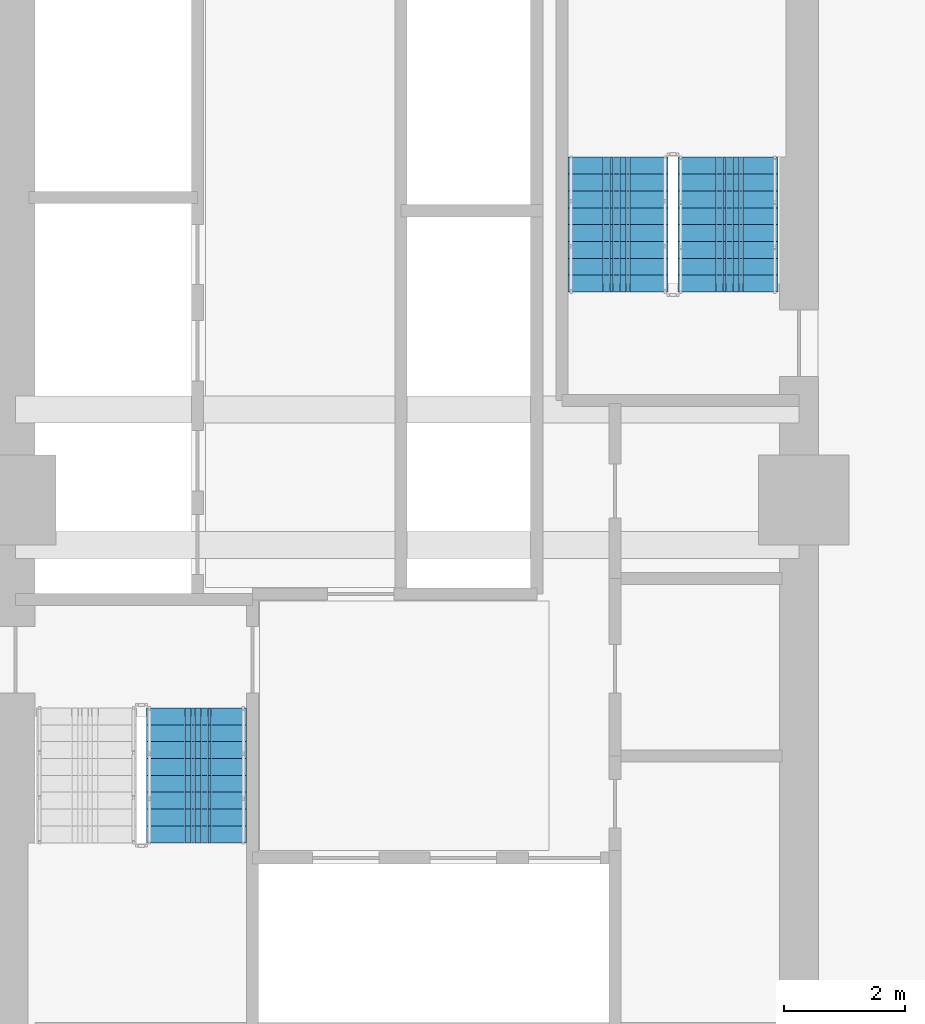
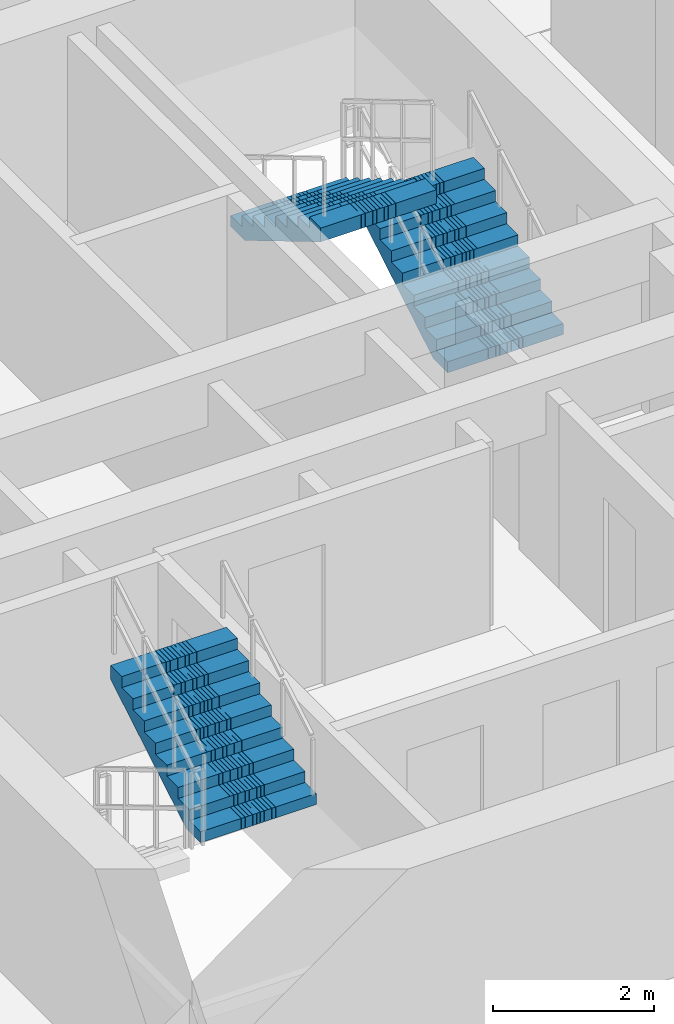
# One storey, part 21 of 27: 3 stair flights, 2 elements without a shape of their own.
"""IFC4 building model written with IfcOpenShell, lengths in metres."""

from ifc_helpers import new_model, si_unit, direction, frame, origin, place, context, subcontext, project, spatial, polyline, outline, extrude, material, type_object, element, aggregate, save


model = new_model("IFC4")

# Units and contexts
model_context = context("Model", 3, precision=1e-05, world=origin(), true_north=direction((0.0, 1.0)))
body_context = subcontext(model_context, "Body", "Model", "MODEL_VIEW")
ifc_project = project(units=[si_unit("LENGTHUNIT", "METRE"), si_unit("AREAUNIT", "SQUARE_METRE"), si_unit("VOLUMEUNIT", "CUBIC_METRE"), si_unit("PLANEANGLEUNIT", "RADIAN"), si_unit("MASSUNIT", "GRAM", prefix="KILO")], contexts=[model_context])

# Site, building, storey
site_placement = place(None, origin())
site = spatial("IfcSite", under=ifc_project, at=site_placement, CompositionType="ELEMENT")
building_placement = place(site_placement, origin())
building = spatial("IfcBuilding", under=site, at=building_placement, Name="Saelheon Loggia Tower", CompositionType="ELEMENT")
storey_placement = place(building_placement, frame((0.0, 0.0, 34.39990234375)))
storey = spatial("IfcBuildingStorey", under=building, at=storey_placement, Name="L10", CompositionType="ELEMENT", Elevation=34.39990234375)

# Stair, stair flight
ifc_material = material(Name="Concrete C40/50", Category="concrete")
stair_type = type_object("IfcStairType", Name="Stair_Escape_Core", PredefinedType="HALF_TURN_STAIR", material=ifc_material)
stair_1_placement = place(storey_placement, origin())
stair_1 = element("IfcStair", 1, at=stair_1_placement, inside=storey, type_object=stair_type, Name="L10 Special Escape Stair ST1", PredefinedType="HALF_TURN_STAIR")
stair_flight_type = type_object("IfcStairFlightType", Name="StairFlight_Tower_1660", PredefinedType="STRAIGHT", material=ifc_material)
stair_flight_1_placement = place(storey_placement, frame((34.5, 21.31005859375, 1.5), z_axis=(0.0, 0.0, 1.0), x_axis=(0.0, 1.0, 0.0)))
stair_flight_1 = element("IfcStairFlight", 2, at=stair_flight_1_placement, type_object=stair_flight_type, Name="ST1 flight 2", NumberOfRisers=9, NumberOfTreads=8, PredefinedType="STRAIGHT", RiserHeight=0.166666667, TreadLength=0.28, context=body_context, shape_type="SweptSolid", body=[
    extrude(outline(polyline([(0.0, 0.0), (0.0, 0.166748046875), (0.280029296875, 0.166748046875), (0.280029296875, 0.333251953125), (0.56005859375, 0.333251953125), (0.56005859375, 0.5), (0.840087890625, 0.5), (0.840087890625, 0.666748046875), (1.1201171875, 0.666748046875), (1.1201171875, 0.833251953125), (1.39990234375, 0.833251953125), (1.39990234375, 1.0), (1.679931640625, 1.0), (1.679931640625, 1.166748046875), (1.9599609375, 1.166748046875), (1.9599609375, 1.333251953125), (2.239990234375, 1.333251953125), (2.239990234375, 1.5), (2.239990234375, 1.1240234375), (0.351806640625, 0.0), (0.0, 0.0)])), frame((0.0, -0.2490234375, 0.0), z_axis=(0.0, -1.0, 0.0), x_axis=(1.0, 0.0, 0.0)), (0.0, 0.0, 1.0), 0.5810546875),
    extrude(outline(polyline([(0.0, 0.0), (0.0, 0.166748046875), (0.280029296875, 0.166748046875), (0.280029296875, 0.333251953125), (0.56005859375, 0.333251953125), (0.56005859375, 0.5), (0.840087890625, 0.5), (0.840087890625, 0.666748046875), (1.1201171875, 0.666748046875), (1.1201171875, 0.833251953125), (1.39990234375, 0.833251953125), (1.39990234375, 1.0), (1.679931640625, 1.0), (1.679931640625, 1.166748046875), (1.9599609375, 1.166748046875), (1.9599609375, 1.333251953125), (2.239990234375, 1.333251953125), (2.239990234375, 1.5), (2.239990234375, 1.1240234375), (0.351806640625, 0.0), (0.0, 0.0)])), frame((0.0, -0.194091796875, 0.0), z_axis=(0.0, -1.0, 0.0), x_axis=(1.0, 0.0, 0.0)), (0.0, 0.0, 1.0), 0.0498046875),
    extrude(outline(polyline([(0.0, 0.0), (0.0, 0.166748046875), (0.280029296875, 0.166748046875), (0.280029296875, 0.333251953125), (0.56005859375, 0.333251953125), (0.56005859375, 0.5), (0.840087890625, 0.5), (0.840087890625, 0.666748046875), (1.1201171875, 0.666748046875), (1.1201171875, 0.833251953125), (1.39990234375, 0.833251953125), (1.39990234375, 1.0), (1.679931640625, 1.0), (1.679931640625, 1.166748046875), (1.9599609375, 1.166748046875), (1.9599609375, 1.333251953125), (2.239990234375, 1.333251953125), (2.239990234375, 1.5), (2.239990234375, 1.1240234375), (0.351806640625, 0.0), (0.0, 0.0)])), frame((0.0, -0.139404296875, 0.0), z_axis=(0.0, -1.0, 0.0), x_axis=(1.0, 0.0, 0.0)), (0.0, 0.0, 1.0), 0.0498046875),
    extrude(outline(polyline([(0.0, 0.0), (0.0, 0.166748046875), (0.280029296875, 0.166748046875), (0.280029296875, 0.333251953125), (0.56005859375, 0.333251953125), (0.56005859375, 0.5), (0.840087890625, 0.5), (0.840087890625, 0.666748046875), (1.1201171875, 0.666748046875), (1.1201171875, 0.833251953125), (1.39990234375, 0.833251953125), (1.39990234375, 1.0), (1.679931640625, 1.0), (1.679931640625, 1.166748046875), (1.9599609375, 1.166748046875), (1.9599609375, 1.333251953125), (2.239990234375, 1.333251953125), (2.239990234375, 1.5), (2.239990234375, 1.1240234375), (0.351806640625, 0.0), (0.0, 0.0)])), frame((0.0, -0.084716796875, 0.0), z_axis=(0.0, -1.0, 0.0), x_axis=(1.0, 0.0, 0.0)), (0.0, 0.0, 1.0), 0.0498046875),
    extrude(outline(polyline([(0.0, 0.0), (0.0, 0.166748046875), (0.280029296875, 0.166748046875), (0.280029296875, 0.333251953125), (0.56005859375, 0.333251953125), (0.56005859375, 0.5), (0.840087890625, 0.5), (0.840087890625, 0.666748046875), (1.1201171875, 0.666748046875), (1.1201171875, 0.833251953125), (1.39990234375, 0.833251953125), (1.39990234375, 1.0), (1.679931640625, 1.0), (1.679931640625, 1.166748046875), (1.9599609375, 1.166748046875), (1.9599609375, 1.333251953125), (2.239990234375, 1.333251953125), (2.239990234375, 1.5), (2.239990234375, 1.1240234375), (0.351806640625, 0.0), (0.0, 0.0)])), frame((0.0, -0.02978515625, 0.0), z_axis=(0.0, -1.0, 0.0), x_axis=(1.0, 0.0, 0.0)), (0.0, 0.0, 1.0), 0.0498046875),
    extrude(outline(polyline([(0.0, 0.0), (0.0, 0.166748046875), (0.280029296875, 0.166748046875), (0.280029296875, 0.333251953125), (0.56005859375, 0.333251953125), (0.56005859375, 0.5), (0.840087890625, 0.5), (0.840087890625, 0.666748046875), (1.1201171875, 0.666748046875), (1.1201171875, 0.833251953125), (1.39990234375, 0.833251953125), (1.39990234375, 1.0), (1.679931640625, 1.0), (1.679931640625, 1.166748046875), (1.9599609375, 1.166748046875), (1.9599609375, 1.333251953125), (2.239990234375, 1.333251953125), (2.239990234375, 1.5), (2.239990234375, 1.1240234375), (0.351806640625, 0.0), (0.0, 0.0)])), frame((0.0, 0.02490234375, 0.0), z_axis=(0.0, -1.0, 0.0), x_axis=(1.0, 0.0, 0.0)), (0.0, 0.0, 1.0), 0.0498046875),
    extrude(outline(polyline([(0.0, 0.0), (0.0, 0.166748046875), (0.280029296875, 0.166748046875), (0.280029296875, 0.333251953125), (0.56005859375, 0.333251953125), (0.56005859375, 0.5), (0.840087890625, 0.5), (0.840087890625, 0.666748046875), (1.1201171875, 0.666748046875), (1.1201171875, 0.833251953125), (1.39990234375, 0.833251953125), (1.39990234375, 1.0), (1.679931640625, 1.0), (1.679931640625, 1.166748046875), (1.9599609375, 1.166748046875), (1.9599609375, 1.333251953125), (2.239990234375, 1.333251953125), (2.239990234375, 1.5), (2.239990234375, 1.1240234375), (0.351806640625, 0.0), (0.0, 0.0)])), frame((0.0, 0.07958984375, 0.0), z_axis=(0.0, -1.0, 0.0), x_axis=(1.0, 0.0, 0.0)), (0.0, 0.0, 1.0), 0.0498046875),
    extrude(outline(polyline([(0.0, 0.0), (0.0, 0.166748046875), (0.280029296875, 0.166748046875), (0.280029296875, 0.333251953125), (0.56005859375, 0.333251953125), (0.56005859375, 0.5), (0.840087890625, 0.5), (0.840087890625, 0.666748046875), (1.1201171875, 0.666748046875), (1.1201171875, 0.833251953125), (1.39990234375, 0.833251953125), (1.39990234375, 1.0), (1.679931640625, 1.0), (1.679931640625, 1.166748046875), (1.9599609375, 1.166748046875), (1.9599609375, 1.333251953125), (2.239990234375, 1.333251953125), (2.239990234375, 1.5), (2.239990234375, 1.1240234375), (0.351806640625, 0.0), (0.0, 0.0)])), frame((0.0, 0.134521484375, 0.0), z_axis=(0.0, -1.0, 0.0), x_axis=(1.0, 0.0, 0.0)), (0.0, 0.0, 1.0), 0.0498046875),
    extrude(outline(polyline([(0.0, 0.0), (0.0, 0.166748046875), (0.280029296875, 0.166748046875), (0.280029296875, 0.333251953125), (0.56005859375, 0.333251953125), (0.56005859375, 0.5), (0.840087890625, 0.5), (0.840087890625, 0.666748046875), (1.1201171875, 0.666748046875), (1.1201171875, 0.833251953125), (1.39990234375, 0.833251953125), (1.39990234375, 1.0), (1.679931640625, 1.0), (1.679931640625, 1.166748046875), (1.9599609375, 1.166748046875), (1.9599609375, 1.333251953125), (2.239990234375, 1.333251953125), (2.239990234375, 1.5), (2.239990234375, 1.1240234375), (0.351806640625, 0.0), (0.0, 0.0)])), frame((0.0, 0.189208984375, 0.0), z_axis=(0.0, -1.0, 0.0), x_axis=(1.0, 0.0, 0.0)), (0.0, 0.0, 1.0), 0.0498046875),
    extrude(outline(polyline([(0.0, 0.0), (0.0, 0.166748046875), (0.280029296875, 0.166748046875), (0.280029296875, 0.333251953125), (0.56005859375, 0.333251953125), (0.56005859375, 0.5), (0.840087890625, 0.5), (0.840087890625, 0.666748046875), (1.1201171875, 0.666748046875), (1.1201171875, 0.833251953125), (1.39990234375, 0.833251953125), (1.39990234375, 1.0), (1.679931640625, 1.0), (1.679931640625, 1.166748046875), (1.9599609375, 1.166748046875), (1.9599609375, 1.333251953125), (2.239990234375, 1.333251953125), (2.239990234375, 1.5), (2.239990234375, 1.1240234375), (0.351806640625, 0.0), (0.0, 0.0)])), frame((0.0, 0.243896484375, 0.0), z_axis=(0.0, -1.0, 0.0), x_axis=(1.0, 0.0, 0.0)), (0.0, 0.0, 1.0), 0.0498046875),
    extrude(outline(polyline([(0.0, 0.0), (0.0, 0.166748046875), (0.280029296875, 0.166748046875), (0.280029296875, 0.333251953125), (0.56005859375, 0.333251953125), (0.56005859375, 0.5), (0.840087890625, 0.5), (0.840087890625, 0.666748046875), (1.1201171875, 0.666748046875), (1.1201171875, 0.833251953125), (1.39990234375, 0.833251953125), (1.39990234375, 1.0), (1.679931640625, 1.0), (1.679931640625, 1.166748046875), (1.9599609375, 1.166748046875), (1.9599609375, 1.333251953125), (2.239990234375, 1.333251953125), (2.239990234375, 1.5), (2.239990234375, 1.1240234375), (0.351806640625, 0.0), (0.0, 0.0)])), frame((0.0, 0.830078125, 0.0), z_axis=(0.0, -1.0, 0.0), x_axis=(1.0, 0.0, 0.0)), (0.0, 0.0, 1.0), 0.5810546875),
])
aggregate(stair_1, [stair_flight_1])

# Stair, stair flights
stair_2_placement = place(storey_placement, origin())
stair_2 = element("IfcStair", 3, at=stair_2_placement, inside=storey, type_object=stair_type, Name="L10 Special Escape Stair ST2", PredefinedType="HALF_TURN_STAIR")
stair_flight_2_placement = place(storey_placement, frame((43.320068359375, 30.449951171875, 0.0), z_axis=(0.0, 0.0, 1.0), x_axis=(0.0, 1.0, 0.0)))
stair_flight_2 = element("IfcStairFlight", 4, at=stair_flight_2_placement, type_object=stair_flight_type, Name="ST2 flight 1", NumberOfRisers=9, NumberOfTreads=8, PredefinedType="STRAIGHT", RiserHeight=0.166666667, TreadLength=0.28, context=body_context, shape_type="SweptSolid", body=[
    extrude(outline(polyline([(0.0, 0.0), (0.0, 0.166748046875), (0.280029296875, 0.166748046875), (0.280029296875, 0.333251953125), (0.56005859375, 0.333251953125), (0.56005859375, 0.5), (0.840087890625, 0.5), (0.840087890625, 0.666748046875), (1.1201171875, 0.666748046875), (1.1201171875, 0.833251953125), (1.39990234375, 0.833251953125), (1.39990234375, 1.0), (1.679931640625, 1.0), (1.679931640625, 1.166748046875), (1.9599609375, 1.166748046875), (1.9599609375, 1.333251953125), (2.239990234375, 1.333251953125), (2.239990234375, 1.5), (2.239990234375, 1.1240234375), (0.351806640625, 0.0), (0.0, 0.0)])), frame((0.0, -0.2490234375, 0.0), z_axis=(0.0, -1.0, 0.0), x_axis=(1.0, 0.0, 0.0)), (0.0, 0.0, 1.0), 0.5810546875),
    extrude(outline(polyline([(0.0, 0.0), (0.0, 0.166748046875), (0.280029296875, 0.166748046875), (0.280029296875, 0.333251953125), (0.56005859375, 0.333251953125), (0.56005859375, 0.5), (0.840087890625, 0.5), (0.840087890625, 0.666748046875), (1.1201171875, 0.666748046875), (1.1201171875, 0.833251953125), (1.39990234375, 0.833251953125), (1.39990234375, 1.0), (1.679931640625, 1.0), (1.679931640625, 1.166748046875), (1.9599609375, 1.166748046875), (1.9599609375, 1.333251953125), (2.239990234375, 1.333251953125), (2.239990234375, 1.5), (2.239990234375, 1.1240234375), (0.351806640625, 0.0), (0.0, 0.0)])), frame((0.0, -0.194091796875, 0.0), z_axis=(0.0, -1.0, 0.0), x_axis=(1.0, 0.0, 0.0)), (0.0, 0.0, 1.0), 0.0498046875),
    extrude(outline(polyline([(0.0, 0.0), (0.0, 0.166748046875), (0.280029296875, 0.166748046875), (0.280029296875, 0.333251953125), (0.56005859375, 0.333251953125), (0.56005859375, 0.5), (0.840087890625, 0.5), (0.840087890625, 0.666748046875), (1.1201171875, 0.666748046875), (1.1201171875, 0.833251953125), (1.39990234375, 0.833251953125), (1.39990234375, 1.0), (1.679931640625, 1.0), (1.679931640625, 1.166748046875), (1.9599609375, 1.166748046875), (1.9599609375, 1.333251953125), (2.239990234375, 1.333251953125), (2.239990234375, 1.5), (2.239990234375, 1.1240234375), (0.351806640625, 0.0), (0.0, 0.0)])), frame((0.0, -0.139404296875, 0.0), z_axis=(0.0, -1.0, 0.0), x_axis=(1.0, 0.0, 0.0)), (0.0, 0.0, 1.0), 0.0498046875),
    extrude(outline(polyline([(0.0, 0.0), (0.0, 0.166748046875), (0.280029296875, 0.166748046875), (0.280029296875, 0.333251953125), (0.56005859375, 0.333251953125), (0.56005859375, 0.5), (0.840087890625, 0.5), (0.840087890625, 0.666748046875), (1.1201171875, 0.666748046875), (1.1201171875, 0.833251953125), (1.39990234375, 0.833251953125), (1.39990234375, 1.0), (1.679931640625, 1.0), (1.679931640625, 1.166748046875), (1.9599609375, 1.166748046875), (1.9599609375, 1.333251953125), (2.239990234375, 1.333251953125), (2.239990234375, 1.5), (2.239990234375, 1.1240234375), (0.351806640625, 0.0), (0.0, 0.0)])), frame((0.0, -0.084716796875, 0.0), z_axis=(0.0, -1.0, 0.0), x_axis=(1.0, 0.0, 0.0)), (0.0, 0.0, 1.0), 0.0498046875),
    extrude(outline(polyline([(0.0, 0.0), (0.0, 0.166748046875), (0.280029296875, 0.166748046875), (0.280029296875, 0.333251953125), (0.56005859375, 0.333251953125), (0.56005859375, 0.5), (0.840087890625, 0.5), (0.840087890625, 0.666748046875), (1.1201171875, 0.666748046875), (1.1201171875, 0.833251953125), (1.39990234375, 0.833251953125), (1.39990234375, 1.0), (1.679931640625, 1.0), (1.679931640625, 1.166748046875), (1.9599609375, 1.166748046875), (1.9599609375, 1.333251953125), (2.239990234375, 1.333251953125), (2.239990234375, 1.5), (2.239990234375, 1.1240234375), (0.351806640625, 0.0), (0.0, 0.0)])), frame((0.0, -0.02978515625, 0.0), z_axis=(0.0, -1.0, 0.0), x_axis=(1.0, 0.0, 0.0)), (0.0, 0.0, 1.0), 0.0498046875),
    extrude(outline(polyline([(0.0, 0.0), (0.0, 0.166748046875), (0.280029296875, 0.166748046875), (0.280029296875, 0.333251953125), (0.56005859375, 0.333251953125), (0.56005859375, 0.5), (0.840087890625, 0.5), (0.840087890625, 0.666748046875), (1.1201171875, 0.666748046875), (1.1201171875, 0.833251953125), (1.39990234375, 0.833251953125), (1.39990234375, 1.0), (1.679931640625, 1.0), (1.679931640625, 1.166748046875), (1.9599609375, 1.166748046875), (1.9599609375, 1.333251953125), (2.239990234375, 1.333251953125), (2.239990234375, 1.5), (2.239990234375, 1.1240234375), (0.351806640625, 0.0), (0.0, 0.0)])), frame((0.0, 0.02490234375, 0.0), z_axis=(0.0, -1.0, 0.0), x_axis=(1.0, 0.0, 0.0)), (0.0, 0.0, 1.0), 0.0498046875),
    extrude(outline(polyline([(0.0, 0.0), (0.0, 0.166748046875), (0.280029296875, 0.166748046875), (0.280029296875, 0.333251953125), (0.56005859375, 0.333251953125), (0.56005859375, 0.5), (0.840087890625, 0.5), (0.840087890625, 0.666748046875), (1.1201171875, 0.666748046875), (1.1201171875, 0.833251953125), (1.39990234375, 0.833251953125), (1.39990234375, 1.0), (1.679931640625, 1.0), (1.679931640625, 1.166748046875), (1.9599609375, 1.166748046875), (1.9599609375, 1.333251953125), (2.239990234375, 1.333251953125), (2.239990234375, 1.5), (2.239990234375, 1.1240234375), (0.351806640625, 0.0), (0.0, 0.0)])), frame((0.0, 0.07958984375, 0.0), z_axis=(0.0, -1.0, 0.0), x_axis=(1.0, 0.0, 0.0)), (0.0, 0.0, 1.0), 0.0498046875),
    extrude(outline(polyline([(0.0, 0.0), (0.0, 0.166748046875), (0.280029296875, 0.166748046875), (0.280029296875, 0.333251953125), (0.56005859375, 0.333251953125), (0.56005859375, 0.5), (0.840087890625, 0.5), (0.840087890625, 0.666748046875), (1.1201171875, 0.666748046875), (1.1201171875, 0.833251953125), (1.39990234375, 0.833251953125), (1.39990234375, 1.0), (1.679931640625, 1.0), (1.679931640625, 1.166748046875), (1.9599609375, 1.166748046875), (1.9599609375, 1.333251953125), (2.239990234375, 1.333251953125), (2.239990234375, 1.5), (2.239990234375, 1.1240234375), (0.351806640625, 0.0), (0.0, 0.0)])), frame((0.0, 0.134521484375, 0.0), z_axis=(0.0, -1.0, 0.0), x_axis=(1.0, 0.0, 0.0)), (0.0, 0.0, 1.0), 0.0498046875),
    extrude(outline(polyline([(0.0, 0.0), (0.0, 0.166748046875), (0.280029296875, 0.166748046875), (0.280029296875, 0.333251953125), (0.56005859375, 0.333251953125), (0.56005859375, 0.5), (0.840087890625, 0.5), (0.840087890625, 0.666748046875), (1.1201171875, 0.666748046875), (1.1201171875, 0.833251953125), (1.39990234375, 0.833251953125), (1.39990234375, 1.0), (1.679931640625, 1.0), (1.679931640625, 1.166748046875), (1.9599609375, 1.166748046875), (1.9599609375, 1.333251953125), (2.239990234375, 1.333251953125), (2.239990234375, 1.5), (2.239990234375, 1.1240234375), (0.351806640625, 0.0), (0.0, 0.0)])), frame((0.0, 0.189208984375, 0.0), z_axis=(0.0, -1.0, 0.0), x_axis=(1.0, 0.0, 0.0)), (0.0, 0.0, 1.0), 0.0498046875),
    extrude(outline(polyline([(0.0, 0.0), (0.0, 0.166748046875), (0.280029296875, 0.166748046875), (0.280029296875, 0.333251953125), (0.56005859375, 0.333251953125), (0.56005859375, 0.5), (0.840087890625, 0.5), (0.840087890625, 0.666748046875), (1.1201171875, 0.666748046875), (1.1201171875, 0.833251953125), (1.39990234375, 0.833251953125), (1.39990234375, 1.0), (1.679931640625, 1.0), (1.679931640625, 1.166748046875), (1.9599609375, 1.166748046875), (1.9599609375, 1.333251953125), (2.239990234375, 1.333251953125), (2.239990234375, 1.5), (2.239990234375, 1.1240234375), (0.351806640625, 0.0), (0.0, 0.0)])), frame((0.0, 0.243896484375, 0.0), z_axis=(0.0, -1.0, 0.0), x_axis=(1.0, 0.0, 0.0)), (0.0, 0.0, 1.0), 0.0498046875),
    extrude(outline(polyline([(0.0, 0.0), (0.0, 0.166748046875), (0.280029296875, 0.166748046875), (0.280029296875, 0.333251953125), (0.56005859375, 0.333251953125), (0.56005859375, 0.5), (0.840087890625, 0.5), (0.840087890625, 0.666748046875), (1.1201171875, 0.666748046875), (1.1201171875, 0.833251953125), (1.39990234375, 0.833251953125), (1.39990234375, 1.0), (1.679931640625, 1.0), (1.679931640625, 1.166748046875), (1.9599609375, 1.166748046875), (1.9599609375, 1.333251953125), (2.239990234375, 1.333251953125), (2.239990234375, 1.5), (2.239990234375, 1.1240234375), (0.351806640625, 0.0), (0.0, 0.0)])), frame((0.0, 0.830078125, 0.0), z_axis=(0.0, -1.0, 0.0), x_axis=(1.0, 0.0, 0.0)), (0.0, 0.0, 1.0), 0.5810546875),
])
stair_flight_3_placement = place(storey_placement, frame((41.5, 32.68994140625, 1.5), z_axis=(0.0, 0.0, 1.0), x_axis=(0.0, -1.0, 0.0)))
stair_flight_3 = element("IfcStairFlight", 5, at=stair_flight_3_placement, type_object=stair_flight_type, Name="ST2 flight 2", NumberOfRisers=9, NumberOfTreads=8, PredefinedType="STRAIGHT", RiserHeight=0.166666667, TreadLength=0.28, context=body_context, shape_type="SweptSolid", body=[
    extrude(outline(polyline([(0.0, 0.0), (0.0, 0.166748046875), (0.280029296875, 0.166748046875), (0.280029296875, 0.333251953125), (0.56005859375, 0.333251953125), (0.56005859375, 0.5), (0.840087890625, 0.5), (0.840087890625, 0.666748046875), (1.1201171875, 0.666748046875), (1.1201171875, 0.833251953125), (1.39990234375, 0.833251953125), (1.39990234375, 1.0), (1.679931640625, 1.0), (1.679931640625, 1.166748046875), (1.9599609375, 1.166748046875), (1.9599609375, 1.333251953125), (2.239990234375, 1.333251953125), (2.239990234375, 1.5), (2.239990234375, 1.1240234375), (0.351806640625, 0.0), (0.0, 0.0)])), frame((0.0, -0.2490234375, 0.0), z_axis=(0.0, -1.0, 0.0), x_axis=(1.0, 0.0, 0.0)), (0.0, 0.0, 1.0), 0.5810546875),
    extrude(outline(polyline([(0.0, 0.0), (0.0, 0.166748046875), (0.280029296875, 0.166748046875), (0.280029296875, 0.333251953125), (0.56005859375, 0.333251953125), (0.56005859375, 0.5), (0.840087890625, 0.5), (0.840087890625, 0.666748046875), (1.1201171875, 0.666748046875), (1.1201171875, 0.833251953125), (1.39990234375, 0.833251953125), (1.39990234375, 1.0), (1.679931640625, 1.0), (1.679931640625, 1.166748046875), (1.9599609375, 1.166748046875), (1.9599609375, 1.333251953125), (2.239990234375, 1.333251953125), (2.239990234375, 1.5), (2.239990234375, 1.1240234375), (0.351806640625, 0.0), (0.0, 0.0)])), frame((0.0, -0.194091796875, 0.0), z_axis=(0.0, -1.0, 0.0), x_axis=(1.0, 0.0, 0.0)), (0.0, 0.0, 1.0), 0.0498046875),
    extrude(outline(polyline([(0.0, 0.0), (0.0, 0.166748046875), (0.280029296875, 0.166748046875), (0.280029296875, 0.333251953125), (0.56005859375, 0.333251953125), (0.56005859375, 0.5), (0.840087890625, 0.5), (0.840087890625, 0.666748046875), (1.1201171875, 0.666748046875), (1.1201171875, 0.833251953125), (1.39990234375, 0.833251953125), (1.39990234375, 1.0), (1.679931640625, 1.0), (1.679931640625, 1.166748046875), (1.9599609375, 1.166748046875), (1.9599609375, 1.333251953125), (2.239990234375, 1.333251953125), (2.239990234375, 1.5), (2.239990234375, 1.1240234375), (0.351806640625, 0.0), (0.0, 0.0)])), frame((0.0, -0.139404296875, 0.0), z_axis=(0.0, -1.0, 0.0), x_axis=(1.0, 0.0, 0.0)), (0.0, 0.0, 1.0), 0.0498046875),
    extrude(outline(polyline([(0.0, 0.0), (0.0, 0.166748046875), (0.280029296875, 0.166748046875), (0.280029296875, 0.333251953125), (0.56005859375, 0.333251953125), (0.56005859375, 0.5), (0.840087890625, 0.5), (0.840087890625, 0.666748046875), (1.1201171875, 0.666748046875), (1.1201171875, 0.833251953125), (1.39990234375, 0.833251953125), (1.39990234375, 1.0), (1.679931640625, 1.0), (1.679931640625, 1.166748046875), (1.9599609375, 1.166748046875), (1.9599609375, 1.333251953125), (2.239990234375, 1.333251953125), (2.239990234375, 1.5), (2.239990234375, 1.1240234375), (0.351806640625, 0.0), (0.0, 0.0)])), frame((0.0, -0.084716796875, 0.0), z_axis=(0.0, -1.0, 0.0), x_axis=(1.0, 0.0, 0.0)), (0.0, 0.0, 1.0), 0.0498046875),
    extrude(outline(polyline([(0.0, 0.0), (0.0, 0.166748046875), (0.280029296875, 0.166748046875), (0.280029296875, 0.333251953125), (0.56005859375, 0.333251953125), (0.56005859375, 0.5), (0.840087890625, 0.5), (0.840087890625, 0.666748046875), (1.1201171875, 0.666748046875), (1.1201171875, 0.833251953125), (1.39990234375, 0.833251953125), (1.39990234375, 1.0), (1.679931640625, 1.0), (1.679931640625, 1.166748046875), (1.9599609375, 1.166748046875), (1.9599609375, 1.333251953125), (2.239990234375, 1.333251953125), (2.239990234375, 1.5), (2.239990234375, 1.1240234375), (0.351806640625, 0.0), (0.0, 0.0)])), frame((0.0, -0.02978515625, 0.0), z_axis=(0.0, -1.0, 0.0), x_axis=(1.0, 0.0, 0.0)), (0.0, 0.0, 1.0), 0.0498046875),
    extrude(outline(polyline([(0.0, 0.0), (0.0, 0.166748046875), (0.280029296875, 0.166748046875), (0.280029296875, 0.333251953125), (0.56005859375, 0.333251953125), (0.56005859375, 0.5), (0.840087890625, 0.5), (0.840087890625, 0.666748046875), (1.1201171875, 0.666748046875), (1.1201171875, 0.833251953125), (1.39990234375, 0.833251953125), (1.39990234375, 1.0), (1.679931640625, 1.0), (1.679931640625, 1.166748046875), (1.9599609375, 1.166748046875), (1.9599609375, 1.333251953125), (2.239990234375, 1.333251953125), (2.239990234375, 1.5), (2.239990234375, 1.1240234375), (0.351806640625, 0.0), (0.0, 0.0)])), frame((0.0, 0.02490234375, 0.0), z_axis=(0.0, -1.0, 0.0), x_axis=(1.0, 0.0, 0.0)), (0.0, 0.0, 1.0), 0.0498046875),
    extrude(outline(polyline([(0.0, 0.0), (0.0, 0.166748046875), (0.280029296875, 0.166748046875), (0.280029296875, 0.333251953125), (0.56005859375, 0.333251953125), (0.56005859375, 0.5), (0.840087890625, 0.5), (0.840087890625, 0.666748046875), (1.1201171875, 0.666748046875), (1.1201171875, 0.833251953125), (1.39990234375, 0.833251953125), (1.39990234375, 1.0), (1.679931640625, 1.0), (1.679931640625, 1.166748046875), (1.9599609375, 1.166748046875), (1.9599609375, 1.333251953125), (2.239990234375, 1.333251953125), (2.239990234375, 1.5), (2.239990234375, 1.1240234375), (0.351806640625, 0.0), (0.0, 0.0)])), frame((0.0, 0.07958984375, 0.0), z_axis=(0.0, -1.0, 0.0), x_axis=(1.0, 0.0, 0.0)), (0.0, 0.0, 1.0), 0.0498046875),
    extrude(outline(polyline([(0.0, 0.0), (0.0, 0.166748046875), (0.280029296875, 0.166748046875), (0.280029296875, 0.333251953125), (0.56005859375, 0.333251953125), (0.56005859375, 0.5), (0.840087890625, 0.5), (0.840087890625, 0.666748046875), (1.1201171875, 0.666748046875), (1.1201171875, 0.833251953125), (1.39990234375, 0.833251953125), (1.39990234375, 1.0), (1.679931640625, 1.0), (1.679931640625, 1.166748046875), (1.9599609375, 1.166748046875), (1.9599609375, 1.333251953125), (2.239990234375, 1.333251953125), (2.239990234375, 1.5), (2.239990234375, 1.1240234375), (0.351806640625, 0.0), (0.0, 0.0)])), frame((0.0, 0.134521484375, 0.0), z_axis=(0.0, -1.0, 0.0), x_axis=(1.0, 0.0, 0.0)), (0.0, 0.0, 1.0), 0.0498046875),
    extrude(outline(polyline([(0.0, 0.0), (0.0, 0.166748046875), (0.280029296875, 0.166748046875), (0.280029296875, 0.333251953125), (0.56005859375, 0.333251953125), (0.56005859375, 0.5), (0.840087890625, 0.5), (0.840087890625, 0.666748046875), (1.1201171875, 0.666748046875), (1.1201171875, 0.833251953125), (1.39990234375, 0.833251953125), (1.39990234375, 1.0), (1.679931640625, 1.0), (1.679931640625, 1.166748046875), (1.9599609375, 1.166748046875), (1.9599609375, 1.333251953125), (2.239990234375, 1.333251953125), (2.239990234375, 1.5), (2.239990234375, 1.1240234375), (0.351806640625, 0.0), (0.0, 0.0)])), frame((0.0, 0.189208984375, 0.0), z_axis=(0.0, -1.0, 0.0), x_axis=(1.0, 0.0, 0.0)), (0.0, 0.0, 1.0), 0.0498046875),
    extrude(outline(polyline([(0.0, 0.0), (0.0, 0.166748046875), (0.280029296875, 0.166748046875), (0.280029296875, 0.333251953125), (0.56005859375, 0.333251953125), (0.56005859375, 0.5), (0.840087890625, 0.5), (0.840087890625, 0.666748046875), (1.1201171875, 0.666748046875), (1.1201171875, 0.833251953125), (1.39990234375, 0.833251953125), (1.39990234375, 1.0), (1.679931640625, 1.0), (1.679931640625, 1.166748046875), (1.9599609375, 1.166748046875), (1.9599609375, 1.333251953125), (2.239990234375, 1.333251953125), (2.239990234375, 1.5), (2.239990234375, 1.1240234375), (0.351806640625, 0.0), (0.0, 0.0)])), frame((0.0, 0.243896484375, 0.0), z_axis=(0.0, -1.0, 0.0), x_axis=(1.0, 0.0, 0.0)), (0.0, 0.0, 1.0), 0.0498046875),
    extrude(outline(polyline([(0.0, 0.0), (0.0, 0.166748046875), (0.280029296875, 0.166748046875), (0.280029296875, 0.333251953125), (0.56005859375, 0.333251953125), (0.56005859375, 0.5), (0.840087890625, 0.5), (0.840087890625, 0.666748046875), (1.1201171875, 0.666748046875), (1.1201171875, 0.833251953125), (1.39990234375, 0.833251953125), (1.39990234375, 1.0), (1.679931640625, 1.0), (1.679931640625, 1.166748046875), (1.9599609375, 1.166748046875), (1.9599609375, 1.333251953125), (2.239990234375, 1.333251953125), (2.239990234375, 1.5), (2.239990234375, 1.1240234375), (0.351806640625, 0.0), (0.0, 0.0)])), frame((0.0, 0.830078125, 0.0), z_axis=(0.0, -1.0, 0.0), x_axis=(1.0, 0.0, 0.0)), (0.0, 0.0, 1.0), 0.5810546875),
])
aggregate(stair_2, [stair_flight_2, stair_flight_3])

save(model, "model.ifc")
